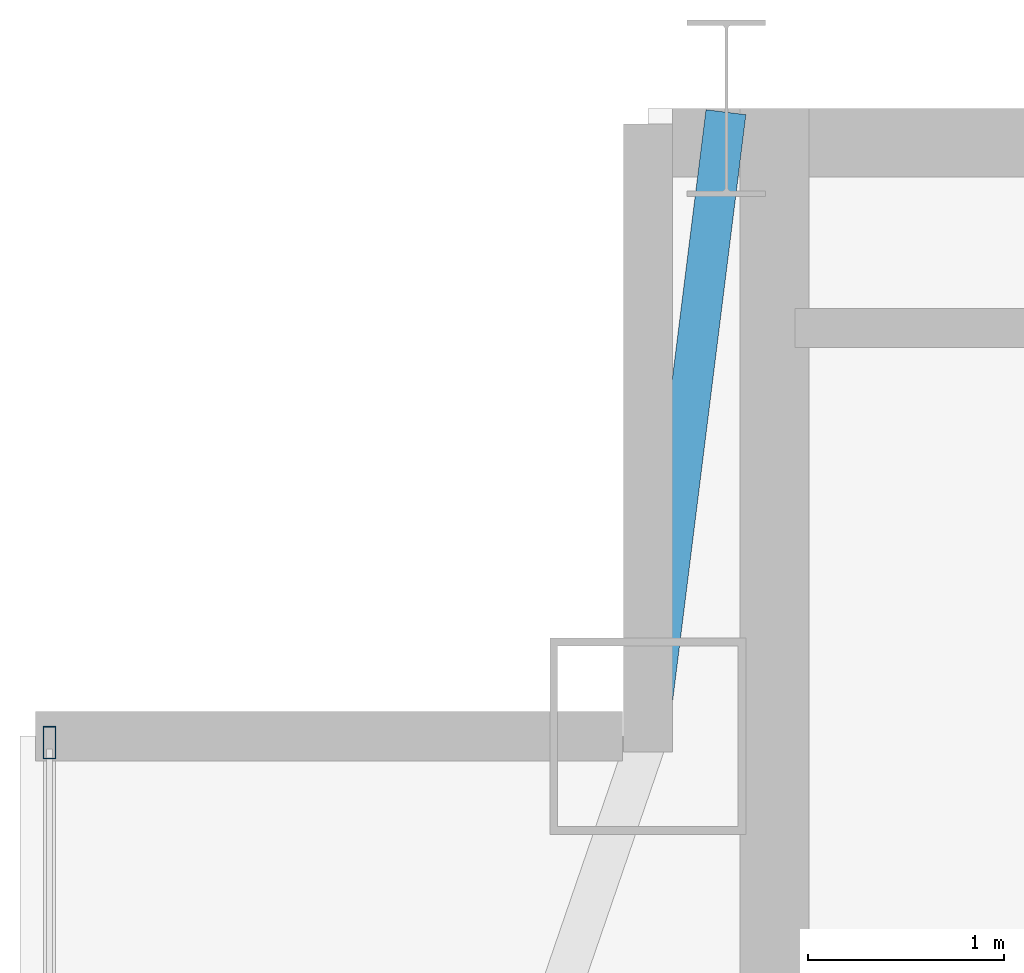
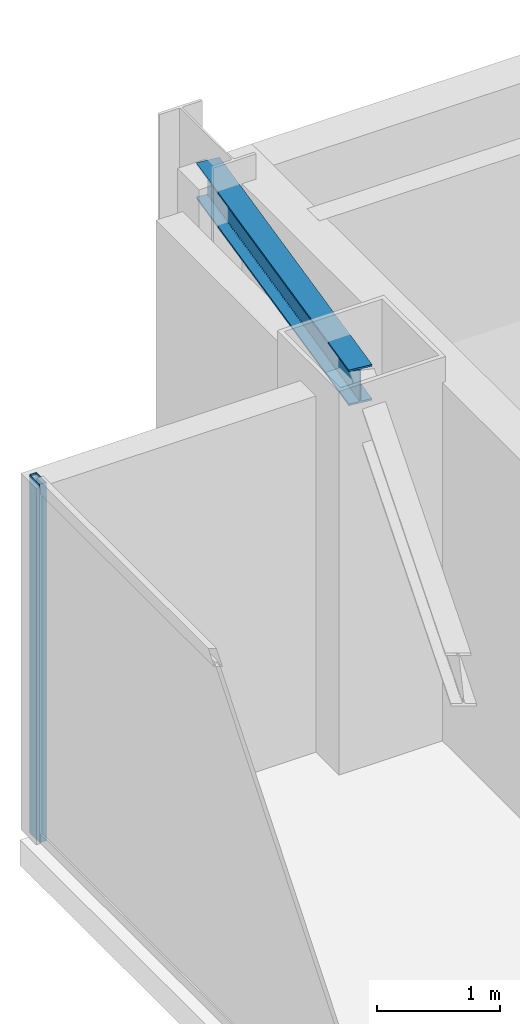
# One storey, part 16 of 24: 1 beam, 1 member, 1 element without a shape of its own.
"""IFC4 building model written with IfcOpenShell, lengths in metres."""

from ifc_helpers import new_model, si_unit, direction, frame, origin, origin_2d, place, context, subcontext, project, spatial, hollow_rectangle, i_section, extrude, source, transform, mapped, material, layer, layer_set, material_profile, profile_set, type_object, type_shapes, element, aggregate, save


model = new_model("IFC4")

# Units and contexts
model_context = context("Model", 3, precision=1e-05, world=origin(), true_north=direction((0.0, 1.0)))
body_context = subcontext(model_context, "Body", "Model", "MODEL_VIEW")
ifc_project = project(units=[si_unit("LENGTHUNIT", "METRE"), si_unit("AREAUNIT", "SQUARE_METRE"), si_unit("VOLUMEUNIT", "CUBIC_METRE"), si_unit("PLANEANGLEUNIT", "RADIAN"), si_unit("MASSUNIT", "GRAM", prefix="KILO")], contexts=[model_context])

# Site, building, storey
site_placement = place(None, origin())
site = spatial("IfcSite", under=ifc_project, at=site_placement, CompositionType="ELEMENT")
building_placement = place(site_placement, origin())
building = spatial("IfcBuilding", under=site, at=building_placement, Name="Varnel Quay Broadcast Tower", CompositionType="ELEMENT")
storey_placement = place(building_placement, frame((0.0, 0.0, 281.199951171875)))
storey = spatial("IfcBuildingStorey", under=building, at=storey_placement, Name="L70", CompositionType="ELEMENT", Elevation=281.199951171875)

# Beam
ifc_material_1 = material(Name="Structural Steel CSA G40.21 350W", Category="steel")
ifc_material_profile_1 = material_profile(ifc_material_1, i_section(OverallWidth=0.205078125, OverallDepth=0.35400390625, WebThickness=0.009521484375, FlangeThickness=0.016845703125, FilletRadius=0.012939453125, at=origin_2d()), Name="W360X79")
ifc_profile_set_1 = profile_set([ifc_material_profile_1], Name="Structural Steel CSA G40.21 350W")
beam_type = type_object("IfcBeamType", Name="Beam_W360X79", PredefinedType="SPANDREL", material=ifc_profile_set_1)
shared_shape_1 = source(origin(), body_context, "Body", "SweptSolid", [
    extrude(i_section(OverallWidth=0.205078125, OverallDepth=0.35400390625, WebThickness=0.009521484375, FlangeThickness=0.016845703125, FilletRadius=0.012939453125, at=origin_2d()), origin(), (0.0, 0.0, 1.0), 3.18505859375),
])
type_shapes(beam_type, [shared_shape_1])
beam_placement = place(storey_placement, frame((15.202392578125, 43.619873046875, 3.373046875), z_axis=(0.124025300311, 0.992279055953, 0.0), x_axis=(-0.992279055953, 0.124025300311, 0.0)))
element("IfcBeam", 1, at=beam_placement, inside=storey, type_object=beam_type, Name="L70 NW Tie Spandrel", PredefinedType="SPANDREL", context=body_context, shape_type="MappedRepresentation", body=[
    mapped(shared_shape_1, transform((0.0, 0.0, 0.0), x_axis=(1.0, 0.0, 0.0), y_axis=(0.0, 1.0, 0.0), z_axis=(0.0, 0.0, 1.0), scale=1.0)),
])

# Curtain wall, member
ifc_material_2 = material(Name="Anodised Bronze Aluminium 6063-T6", Category="aluminium")
ifc_layer = layer(ifc_material_2, 0.18994140625, Name="Anodised Bronze Aluminium 6063-T6")
ifc_layer_set = layer_set([ifc_layer], Name="Anodised Bronze Aluminium 6063-T6")
curtain_wall_type = type_object("IfcCurtainWallType", Name="CW_UpperTower", PredefinedType="NOTDEFINED", material=ifc_layer_set)
curtain_wall_placement = place(storey_placement, origin())
curtain_wall = element("IfcCurtainWall", 2, at=curtain_wall_placement, inside=storey, type_object=curtain_wall_type, Name="L70 West Unitised Curtain Wall", PredefinedType="NOTDEFINED")
ifc_material_profile_2 = material_profile(ifc_material_2, hollow_rectangle(XDim=0.06494140625, YDim=0.1650390625, WallThickness=0.00341796875, at=origin_2d()), Name="ALU65X165X3.5")
ifc_profile_set_2 = profile_set([ifc_material_profile_2], Name="Anodised Bronze Aluminium 6063-T6")
member_type = type_object("IfcMemberType", Name="Mull_CWS-03", PredefinedType="MULLION", material=ifc_profile_set_2)
shared_shape_2 = source(origin(), body_context, "Body", "SweptSolid", [
    extrude(hollow_rectangle(XDim=0.06494140625, YDim=0.1650390625, WallThickness=0.00341796875, at=origin_2d()), origin(), (0.0, 0.0, 1.0), 3.550048828125),
])
type_shapes(member_type, [shared_shape_2])
member_placement = place(storey_placement, frame((12.14990234375, 43.5673828125, 0.0), z_axis=(0.0, 0.0, 1.0), x_axis=(-1.0, 0.0, 0.0)))
member = element("IfcMember", 3, at=member_placement, type_object=member_type, Name="CWS-03 mullion 3", PredefinedType="MULLION", context=body_context, shape_type="MappedRepresentation", body=[
    mapped(shared_shape_2, transform((0.0, 0.0, 0.0), x_axis=(1.0, 0.0, 0.0), y_axis=(0.0, 1.0, 0.0), z_axis=(0.0, 0.0, 1.0), scale=1.0)),
])
aggregate(curtain_wall, [member])

save(model, "model.ifc")
